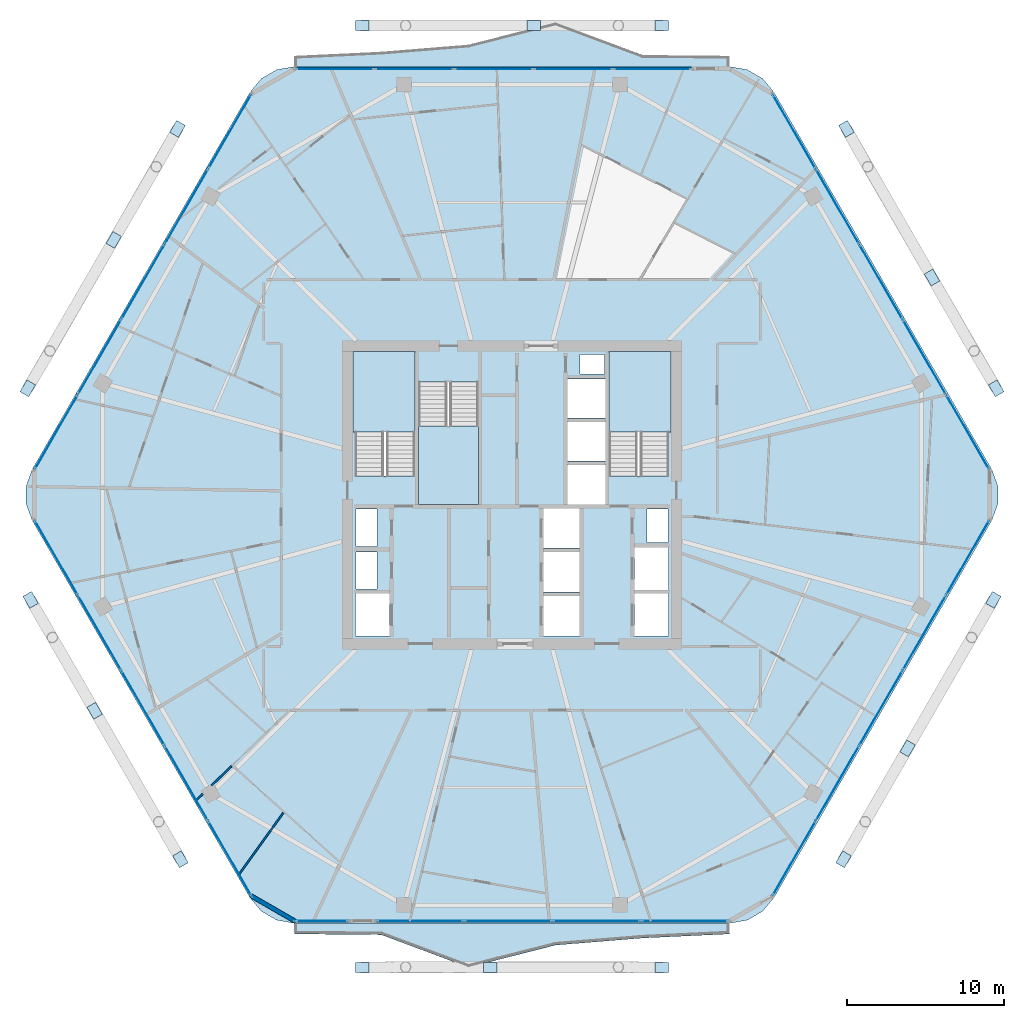
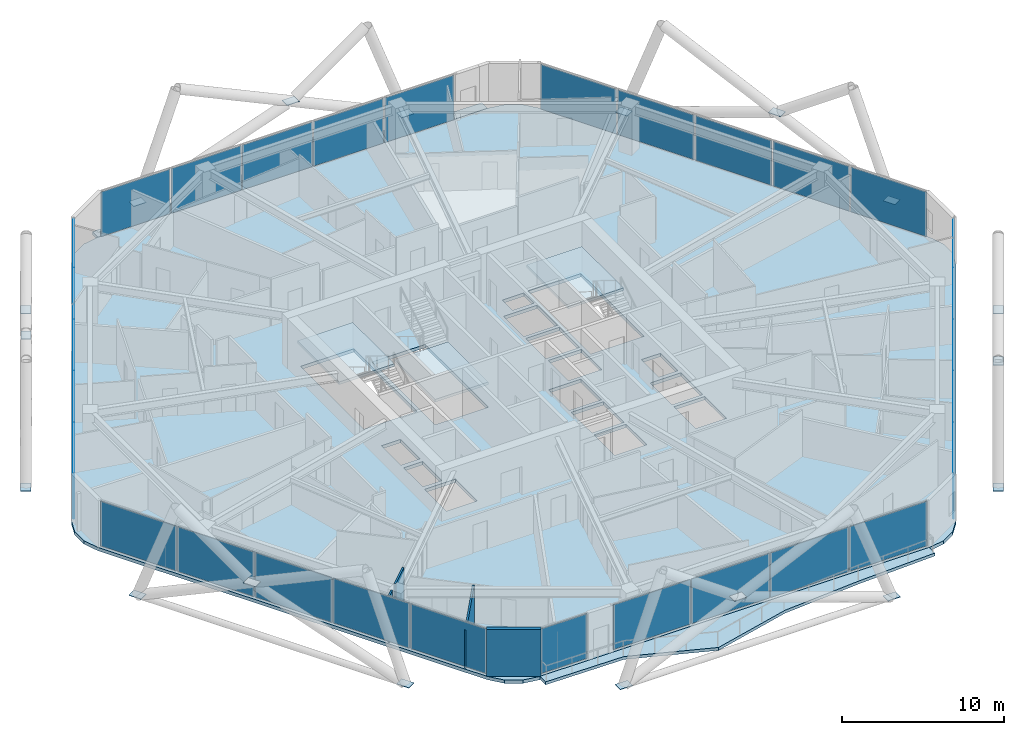
# One storey, part 20 of 28: 48 plates, 6 slabs, 4 walls, 10 elements without a shape of their own.
"""IFC4 building model written with IfcOpenShell, lengths in metres."""

from ifc_helpers import new_model, si_unit, direction, frame, frame_2d, origin, origin_2d, place, context, subcontext, project, spatial, polyline, rectangle, outline, extrude, material, layer, layer_set, type_object, element, aggregate, save


model = new_model("IFC4")

# Units and contexts
model_context = context("Model", 3, precision=1e-05, world=origin(), true_north=direction((0.0, 1.0)))
body_context = subcontext(model_context, "Body", "Model", "MODEL_VIEW")
ifc_project = project(units=[si_unit("LENGTHUNIT", "METRE"), si_unit("AREAUNIT", "SQUARE_METRE"), si_unit("VOLUMEUNIT", "CUBIC_METRE"), si_unit("PLANEANGLEUNIT", "RADIAN"), si_unit("MASSUNIT", "GRAM", prefix="KILO")], contexts=[model_context])

# Site, building, storey
site_placement = place(None, origin())
site = spatial("IfcSite", under=ifc_project, at=site_placement, CompositionType="ELEMENT")
building_placement = place(site_placement, origin())
building = spatial("IfcBuilding", under=site, at=building_placement, Name="Zuhravey Tower", CompositionType="ELEMENT")
storey_placement = place(building_placement, frame((0.0, 0.0, 207.39990234375)))
storey = spatial("IfcBuildingStorey", under=building, at=storey_placement, Name="L52", CompositionType="ELEMENT", Elevation=207.39990234375)

# Plates
ifc_material_1 = material(Name="Steel SM460", Category="steel")
ifc_layer_1 = layer(ifc_material_1, 0.035888671875)
ifc_layer_set_1 = layer_set([ifc_layer_1], Name="Steel SM460")
plate_type_1 = type_object("IfcPlateType", Name="Exoskeleton Zone 2 Node Plate ND2", PredefinedType="SHEET", material=ifc_layer_set_1)
for number, where, z_axis, x_axis, name in (
    (1, (66.890869140625, 38.8017578125, -0.48193359375), (0.0, 0.0, 1.0), (-0.5, 0.866025403784, 0.0), "L52 Exoskeleton Node Gusset L52-01"),
    (2, (57.3359375, 55.351318359375, -0.48193359375), (0.0, 0.0, 1.0), (-0.5, 0.866025403784, 0.0), "L52 Exoskeleton Node Gusset L52-02"),
    (3, (45.554931640625, 61.943115234375, -0.48193359375), (0.0, 0.0, 1.0), (-1.0, 0.0, 0.0), "L52 Exoskeleton Node Gusset L52-03"),
    (4, (26.445068359375, 61.943115234375, -0.48193359375), (0.0, 0.0, 1.0), (-1.0, 0.0, 0.0), "L52 Exoskeleton Node Gusset L52-04"),
    (5, (14.6640625, 55.351318359375, -0.48193359375), (0.0, 0.0, 1.0), (-0.5, -0.866025403784, 0.0), "L52 Exoskeleton Node Gusset L52-05"),
    (6, (5.109130859375, 38.8017578125, -0.48193359375), (0.0, 0.0, 1.0), (-0.5, -0.866025403784, 0.0), "L52 Exoskeleton Node Gusset L52-06"),
    (7, (5.291015625, 25.30322265625, -0.48193359375), (0.0, 0.0, 1.0), (0.5, -0.866025403784, 0.0), "L52 Exoskeleton Node Gusset L52-07"),
    (8, (14.845947265625, 8.753662109375, -0.48193359375), (0.0, 0.0, 1.0), (0.5, -0.866025403784, 0.0), "L52 Exoskeleton Node Gusset L52-08"),
    (9, (26.445068359375, 1.846923828125, -0.48193359375), (0.0, 0.0, 1.0), (1.0, 0.0, 0.0), "L52 Exoskeleton Node Gusset L52-09"),
    (10, (45.554931640625, 1.846923828125, -0.48193359375), (0.0, 0.0, 1.0), (1.0, 0.0, 0.0), "L52 Exoskeleton Node Gusset L52-10"),
    (11, (57.154052734375, 8.753662109375, -0.48193359375), (0.0, 0.0, 1.0), (0.5, 0.866025403784, 0.0), "L52 Exoskeleton Node Gusset L52-11"),
    (12, (66.708984375, 25.30322265625, -0.48193359375), (0.0, 0.0, 1.0), (0.5, 0.866025403784, 0.0), "L52 Exoskeleton Node Gusset L52-12"),
    (13, (62.793701171875, 45.867919921875, 3.318359375), (0.0, 0.0, 1.0), (-0.5, 0.866025403784, 0.0), "L52 Face 1 Diagrid X-Crossing Plate"),
    (14, (37.386962890625, 61.943115234375, 3.318359375), (0.0, 0.0, 1.0), (-1.0, 0.0, 0.0), "L52 Face 2 Diagrid X-Crossing Plate"),
    (15, (10.593017578125, 48.270263671875, 3.318359375), (0.0, 0.0, 1.0), (-0.5, -0.866025403784, 0.0), "L52 Face 3 Diagrid X-Crossing Plate"),
    (16, (9.375, 18.2294921875, 3.318359375), (0.0, 0.0, 1.0), (0.5, -0.866025403784, 0.0), "L52 Face 4 Diagrid X-Crossing Plate"),
    (17, (34.613037109375, 1.86181640625, 3.318359375), (0.0, 0.0, 1.0), (1.0, 0.0, 0.0), "L52 Face 5 Diagrid X-Crossing Plate"),
    (18, (61.238037109375, 15.8271484375, 3.318359375), (0.0, 0.0, 1.0), (0.5, 0.866025403784, 0.0), "L52 Face 6 Diagrid X-Crossing Plate"),
):
    element("IfcPlate", number, at=place(storey_placement, frame(where, z_axis=z_axis, x_axis=x_axis)), inside=storey, type_object=plate_type_1, Name=name, PredefinedType="SHEET", context=body_context, shape_type="SweptSolid", body=[
        extrude(rectangle(XDim=0.8798828125, YDim=0.639892578125, at=origin_2d()), origin(), (0.0, 0.0, 1.0), 0.035888671875),
    ])

# Slabs
ifc_material_2 = material(Name="Concrete C50/60", Category="concrete")
ifc_layer_2 = layer(ifc_material_2, 0.25)
ifc_layer_set_2 = layer_set([ifc_layer_2], Name="Concrete C50/60")
slab_type_1 = type_object("IfcSlabType", Name="Residential Acoustic Slab 250", PredefinedType="FLOOR", material=ifc_layer_set_2)
slab_1_placement = place(storey_placement, frame((0.0, 0.0, -0.25)))
element("IfcSlab", 19, at=slab_1_placement, inside=storey, type_object=slab_type_1, Name="L52 Floor Slab FS25", PredefinedType="FLOOR", context=body_context, shape_type="SweptSolid", body=[
    extrude(outline(polyline([(66.61181640625, 30.375), (66.997802734375, 31.435546875), (66.997802734375, 32.564453125), (66.61181640625, 33.625), (52.713134765625, 57.697998046875), (51.98779296875, 58.562744140625), (51.01025390625, 59.127197265625), (49.898681640625, 59.322998046875), (22.101318359375, 59.322998046875), (20.98974609375, 59.127197265625), (20.01220703125, 58.562744140625), (19.286865234375, 57.697998046875), (5.38818359375, 33.625), (5.002197265625, 32.564453125), (5.002197265625, 31.435546875), (5.38818359375, 30.375), (19.286865234375, 6.302001953125), (20.01220703125, 5.437255859375), (20.98974609375, 4.872802734375), (22.101318359375, 4.677001953125), (49.898681640625, 4.677001953125), (51.01025390625, 4.872802734375), (51.98779296875, 5.437255859375), (52.713134765625, 6.302001953125), (66.61181640625, 30.375)]), holes=[polyline([(29.800048828125, 33.20068359375), (29.800048828125, 41.0), (26.0, 41.0), (26.0, 33.20068359375), (29.800048828125, 33.20068359375)]), polyline([(46.0, 33.20068359375), (46.0, 41.0), (42.199951171875, 41.0), (42.199951171875, 33.20068359375), (46.0, 33.20068359375)]), polyline([(30.050048828125, 39.199462890625), (30.050048828125, 31.39990234375), (33.85009765625, 31.39990234375), (33.85009765625, 39.199462890625), (30.050048828125, 39.199462890625)]), polyline([(38.0, 23.0), (40.300048828125, 23.0), (40.300048828125, 25.550048828125), (38.0, 25.550048828125), (38.0, 23.0)]), polyline([(38.0, 25.800048828125), (40.300048828125, 25.800048828125), (40.300048828125, 28.35009765625), (38.0, 28.35009765625), (38.0, 25.800048828125)]), polyline([(38.0, 28.60009765625), (40.300048828125, 28.60009765625), (40.300048828125, 31.14990234375), (38.0, 31.14990234375), (38.0, 28.60009765625)]), polyline([(39.550048828125, 31.39990234375), (41.949951171875, 31.39990234375), (41.949951171875, 33.89990234375), (39.550048828125, 33.89990234375), (39.550048828125, 31.39990234375)]), polyline([(39.550048828125, 34.14990234375), (41.949951171875, 34.14990234375), (41.949951171875, 36.64990234375), (39.550048828125, 36.64990234375), (39.550048828125, 34.14990234375)]), polyline([(39.550048828125, 36.89990234375), (41.949951171875, 36.89990234375), (41.949951171875, 39.39990234375), (39.550048828125, 39.39990234375), (39.550048828125, 36.89990234375)]), polyline([(26.0, 23.0), (28.199951171875, 23.0), (28.199951171875, 25.699951171875), (26.0, 25.699951171875), (26.0, 23.0)]), polyline([(43.800048828125, 23.0), (46.0, 23.0), (46.0, 25.699951171875), (43.800048828125, 25.699951171875), (43.800048828125, 23.0)]), polyline([(43.800048828125, 25.949951171875), (46.0, 25.949951171875), (46.0, 28.64990234375), (43.800048828125, 28.64990234375), (43.800048828125, 25.949951171875)]), polyline([(26.050048828125, 26.0), (27.39990234375, 26.0), (27.39990234375, 28.35009765625), (26.050048828125, 28.35009765625), (26.050048828125, 26.0)]), polyline([(26.050048828125, 28.699951171875), (27.39990234375, 28.699951171875), (27.39990234375, 31.10009765625), (26.050048828125, 31.10009765625), (26.050048828125, 28.699951171875)]), polyline([(44.60009765625, 28.949951171875), (45.949951171875, 28.949951171875), (45.949951171875, 31.10009765625), (44.60009765625, 31.10009765625), (44.60009765625, 28.949951171875)]), polyline([(40.35009765625, 39.699951171875), (41.89990234375, 39.699951171875), (41.89990234375, 40.949951171875), (40.35009765625, 40.949951171875), (40.35009765625, 39.699951171875)])]), origin(), (0.0, 0.0, 1.0), 0.25),
])
ifc_material_3 = material(Name="Concrete C40/50", Category="concrete")
ifc_layer_3 = layer(ifc_material_3, 0.219970703125)
ifc_layer_set_3 = layer_set([ifc_layer_3], Name="Concrete C40/50")
slab_type_2 = type_object("IfcSlabType", Name="Sinusoidal Residential Wave Balcony 220", PredefinedType="FLOOR", material=ifc_layer_set_3)
slab_2_placement = place(storey_placement, frame((0.0, 0.0, -0.219970703125)))
element("IfcSlab", 20, at=slab_2_placement, inside=storey, type_object=slab_type_2, Name="L52 Face 5 Wave Balcony WB22", PredefinedType="FLOOR", context=body_context, shape_type="SweptSolid", body=[
    extrude(outline(polyline([(22.110107421875, 4.69189453125), (49.889892578125, 4.69189453125), (49.889892578125, 3.991943359375), (44.333984375, 3.729736328125), (38.778076171875, 3.27783203125), (33.221923828125, 1.86279296875), (27.666015625, 3.9384765625), (22.110107421875, 3.991943359375), (22.110107421875, 4.69189453125)])), origin(), (0.0, 0.0, 1.0), 0.219970703125),
])
slab_3_placement = place(storey_placement, frame((0.0, 0.0, -0.219970703125)))
element("IfcSlab", 21, at=slab_3_placement, inside=storey, type_object=slab_type_2, Name="L52 Face 2 Wave Balcony WB22", PredefinedType="FLOOR", context=body_context, shape_type="SweptSolid", body=[
    extrude(outline(polyline([(49.889892578125, 59.30810546875), (22.110107421875, 59.30810546875), (22.110107421875, 60.008056640625), (27.666015625, 60.270263671875), (33.221923828125, 60.72216796875), (38.778076171875, 62.13720703125), (44.333984375, 60.0615234375), (49.889892578125, 60.008056640625), (49.889892578125, 59.30810546875)])), origin(), (0.0, 0.0, 1.0), 0.219970703125),
])

# Stair, slab
stair_type = type_object("IfcStairType", Name="Housing Storey Stair Assembly 3800", PredefinedType="HALF_TURN_STAIR", material=ifc_material_3)
stair_1_placement = place(storey_placement, origin())
stair_1 = element("IfcStair", 22, at=stair_1_placement, inside=storey, type_object=stair_type, Name="L52 Core Exit Stair ST1", PredefinedType="HALF_TURN_STAIR")
ifc_layer_4 = layer(ifc_material_3, 0.199951171875)
ifc_layer_set_4 = layer_set([ifc_layer_4], Name="Concrete C40/50")
slab_type_3 = type_object("IfcSlabType", Name="Stair Landing Slab 200", PredefinedType="LANDING", material=ifc_layer_set_4)
slab_4_placement = place(storey_placement, frame((0.0, 0.0, 1.7001953125)))
slab_4 = element("IfcSlab", 23, at=slab_4_placement, type_object=slab_type_3, Name="ST1 landing 1", PredefinedType="LANDING", context=body_context, shape_type="SweptSolid", body=[
    extrude(outline(polyline([(29.800048828125, 36.0), (29.800048828125, 41.14794921875), (25.85205078125, 41.14794921875), (25.85205078125, 36.0), (29.800048828125, 36.0)])), origin(), (0.0, 0.0, 1.0), 0.199951171875),
])
aggregate(stair_1, [slab_4])

stair_2_placement = place(storey_placement, origin())
stair_2 = element("IfcStair", 24, at=stair_2_placement, inside=storey, type_object=stair_type, Name="L52 Core Exit Stair ST2", PredefinedType="HALF_TURN_STAIR")
slab_5_placement = place(storey_placement, frame((0.0, 0.0, 1.7001953125)))
slab_5 = element("IfcSlab", 25, at=slab_5_placement, type_object=slab_type_3, Name="ST2 landing 1", PredefinedType="LANDING", context=body_context, shape_type="SweptSolid", body=[
    extrude(outline(polyline([(46.14794921875, 36.0), (46.14794921875, 41.14794921875), (42.199951171875, 41.14794921875), (42.199951171875, 36.0), (46.14794921875, 36.0)])), origin(), (0.0, 0.0, 1.0), 0.199951171875),
])
aggregate(stair_2, [slab_5])

stair_3_placement = place(storey_placement, origin())
stair_3 = element("IfcStair", 26, at=stair_3_placement, inside=storey, type_object=stair_type, Name="L52 Core Exit Stair ST3", PredefinedType="HALF_TURN_STAIR")
slab_6_placement = place(storey_placement, frame((0.0, 0.0, 1.7001953125)))
slab_6 = element("IfcSlab", 27, at=slab_6_placement, type_object=slab_type_3, Name="ST3 landing 1", PredefinedType="LANDING", context=body_context, shape_type="SweptSolid", body=[
    extrude(outline(polyline([(30.050048828125, 36.39990234375), (30.050048828125, 31.39990234375), (33.85009765625, 31.39990234375), (33.85009765625, 36.39990234375), (30.050048828125, 36.39990234375)])), origin(), (0.0, 0.0, 1.0), 0.199951171875),
])
aggregate(stair_3, [slab_6])

# Curtain wall, plates
ifc_material_4 = material(Name="Thermally broken anodised aluminium", Category="aluminium")
curtain_wall_type = type_object("IfcCurtainWallType", Name="Zone 1-2 Residential Curtain Wall CW3", PredefinedType="NOTDEFINED", material=ifc_material_4)
curtain_wall_1_placement = place(storey_placement, origin())
curtain_wall_1 = element("IfcCurtainWall", 28, at=curtain_wall_1_placement, inside=storey, type_object=curtain_wall_type, Name="L52 CW3 CW-L52-F6-1", PredefinedType="NOTDEFINED")
ifc_material_5 = material(Name="Triple low-E insulated vision glass", Category="glass")
ifc_layer_5 = layer(ifc_material_5, 0.0419921875)
ifc_layer_set_5 = layer_set([ifc_layer_5], Name="Triple low-E insulated vision glass")
plate_type_2 = type_object("IfcPlateType", Name="Triple Low-E Vision Panel", PredefinedType="CURTAIN_PANEL", material=ifc_layer_set_5)
plate_1_placement = place(storey_placement, frame((65.074462890625, 27.9921875, 0.090087890625), z_axis=(0.0, 0.0, 1.0), x_axis=(-0.500000459979, -0.866025138215, 0.0)))
plate_1 = element("IfcPlate", 29, at=plate_1_placement, type_object=plate_type_2, Name="CW3 panel 1.1", PredefinedType="CURTAIN_PANEL", context=body_context, shape_type="SweptSolid", body=[
    extrude(rectangle(XDim=5.409423828125, YDim=0.0419921875, at=origin_2d()), origin(), (0.0, 0.0, 1.0), 3.3701171875),
])
plate_2_placement = place(storey_placement, frame((62.3134765625, 23.2099609375, 0.090087890625), z_axis=(0.0, 0.0, 1.0), x_axis=(-0.500000459979, -0.866025138215, 0.0)))
plate_2 = element("IfcPlate", 30, at=plate_2_placement, type_object=plate_type_2, Name="CW3 panel 2.1", PredefinedType="CURTAIN_PANEL", context=body_context, shape_type="SweptSolid", body=[
    extrude(rectangle(XDim=5.454345703125, YDim=0.0419921875, at=origin_2d()), origin(), (0.0, 0.0, 1.0), 3.3701171875),
])
plate_3_placement = place(storey_placement, frame((59.541259765625, 18.408447265625, 0.090087890625), z_axis=(0.0, 0.0, 1.0), x_axis=(-0.500000459979, -0.866025138215, 0.0)))
plate_3 = element("IfcPlate", 31, at=plate_3_placement, type_object=plate_type_2, Name="CW3 panel 3.1", PredefinedType="CURTAIN_PANEL", context=body_context, shape_type="SweptSolid", body=[
    extrude(rectangle(XDim=5.454345703125, YDim=0.0419921875, at=origin_2d()), origin(), (0.0, 0.0, 1.0), 3.3701171875),
])
plate_4_placement = place(storey_placement, frame((56.76904296875, 13.60693359375, 0.090087890625), z_axis=(0.0, 0.0, 1.0), x_axis=(-0.500000459979, -0.866025138215, 0.0)))
plate_4 = element("IfcPlate", 32, at=plate_4_placement, type_object=plate_type_2, Name="CW3 panel 4.1", PredefinedType="CURTAIN_PANEL", context=body_context, shape_type="SweptSolid", body=[
    extrude(rectangle(XDim=5.454345703125, YDim=0.0419921875, at=origin_2d()), origin(), (0.0, 0.0, 1.0), 3.3701171875),
])
plate_5_placement = place(storey_placement, frame((54.008056640625, 8.82470703125, 0.090087890625), z_axis=(0.0, 0.0, 1.0), x_axis=(-0.500000459979, -0.866025138215, 0.0)))
plate_5 = element("IfcPlate", 33, at=plate_5_placement, type_object=plate_type_2, Name="CW3 panel 5.1", PredefinedType="CURTAIN_PANEL", context=body_context, shape_type="SweptSolid", body=[
    extrude(rectangle(XDim=5.409423828125, YDim=0.0419921875, at=origin_2d()), origin(), (0.0, 0.0, 1.0), 3.3701171875),
])
aggregate(curtain_wall_1, [plate_1, plate_2, plate_3, plate_4, plate_5])

curtain_wall_2_placement = place(storey_placement, origin())
curtain_wall_2 = element("IfcCurtainWall", 34, at=curtain_wall_2_placement, inside=storey, type_object=curtain_wall_type, Name="L52 CW3 CW-L52-F5-1", PredefinedType="NOTDEFINED")
plate_6_placement = place(storey_placement, frame((47.01953125, 4.81689453125, 0.090087890625), z_axis=(0.0, 0.0, 1.0), x_axis=(-1.0, 0.0, 0.0)))
plate_6 = element("IfcPlate", 35, at=plate_6_placement, type_object=plate_type_2, Name="CW3 panel 1.1", PredefinedType="CURTAIN_PANEL", context=body_context, shape_type="SweptSolid", body=[
    extrude(rectangle(XDim=5.5029296875, YDim=0.0419921875, at=origin_2d()), origin(), (0.0, 0.0, 1.0), 3.3701171875),
])
plate_7_placement = place(storey_placement, frame((41.404296875, 4.81689453125, 0.090087890625), z_axis=(0.0, 0.0, 1.0), x_axis=(-1.0, 0.0, 0.0)))
plate_7 = element("IfcPlate", 36, at=plate_7_placement, type_object=plate_type_2, Name="CW3 panel 2.1", PredefinedType="CURTAIN_PANEL", context=body_context, shape_type="SweptSolid", body=[
    extrude(rectangle(XDim=5.5478515625, YDim=0.0419921875, at=origin_2d()), origin(), (0.0, 0.0, 1.0), 3.3701171875),
])
plate_8_placement = place(storey_placement, frame((35.76611328125, 4.81689453125, 0.090087890625), z_axis=(0.0, 0.0, 1.0), x_axis=(-1.0, 0.0, 0.0)))
plate_8 = element("IfcPlate", 37, at=plate_8_placement, type_object=plate_type_2, Name="CW3 panel 3.1", PredefinedType="CURTAIN_PANEL", context=body_context, shape_type="SweptSolid", body=[
    extrude(rectangle(XDim=5.5478515625, YDim=0.0419921875, at=origin_2d()), origin(), (0.0, 0.0, 1.0), 3.3701171875),
])
plate_9_placement = place(storey_placement, frame((30.15087890625, 4.81689453125, 0.090087890625), z_axis=(0.0, 0.0, 1.0), x_axis=(-1.0, 0.0, 0.0)))
plate_9 = element("IfcPlate", 38, at=plate_9_placement, type_object=plate_type_2, Name="CW3 panel 4.1", PredefinedType="CURTAIN_PANEL", context=body_context, shape_type="SweptSolid", body=[
    extrude(rectangle(XDim=5.5029296875, YDim=0.0419921875, at=origin_2d()), origin(), (0.0, 0.0, 1.0), 3.3701171875),
])
aggregate(curtain_wall_2, [plate_6, plate_7, plate_8, plate_9])

# Curtain wall, plate
curtain_wall_3_placement = place(storey_placement, origin())
curtain_wall_3 = element("IfcCurtainWall", 39, at=curtain_wall_3_placement, inside=storey, type_object=curtain_wall_type, Name="L52 CW3 CW-L52-F5-2", PredefinedType="NOTDEFINED")
plate_10_placement = place(storey_placement, frame((23.8740234375, 4.81689453125, 0.090087890625), z_axis=(0.0, 0.0, 1.0), x_axis=(-1.0, 0.0, 0.0)))
plate_10 = element("IfcPlate", 40, at=plate_10_placement, type_object=plate_type_2, Name="CW3 panel 1.1", PredefinedType="CURTAIN_PANEL", context=body_context, shape_type="SweptSolid", body=[
    extrude(rectangle(XDim=3.290283203125, YDim=0.0419921875, at=origin_2d()), origin(), (0.0, 0.0, 1.0), 3.3701171875),
])
aggregate(curtain_wall_3, [plate_10])

# Curtain wall, plates
curtain_wall_4_placement = place(storey_placement, origin())
curtain_wall_4 = element("IfcCurtainWall", 41, at=curtain_wall_4_placement, inside=storey, type_object=curtain_wall_type, Name="L52 CW3 CW-L52-F4-1", PredefinedType="NOTDEFINED")
plate_11_placement = place(storey_placement, frame((17.991943359375, 8.82470703125, 0.090087890625), z_axis=(0.0, 0.0, 1.0), x_axis=(-0.500000459979, 0.866025138215, 0.0)))
plate_11 = element("IfcPlate", 42, at=plate_11_placement, type_object=plate_type_2, Name="CW3 panel 1.1", PredefinedType="CURTAIN_PANEL", context=body_context, shape_type="SweptSolid", body=[
    extrude(rectangle(XDim=5.409423828125, YDim=0.0419921875, at=origin_2d()), origin(), (0.0, 0.0, 1.0), 3.3701171875),
])
plate_12_placement = place(storey_placement, frame((15.23095703125, 13.60693359375, 0.090087890625), z_axis=(0.0, 0.0, 1.0), x_axis=(-0.500000459979, 0.866025138215, 0.0)))
plate_12 = element("IfcPlate", 43, at=plate_12_placement, type_object=plate_type_2, Name="CW3 panel 2.1", PredefinedType="CURTAIN_PANEL", context=body_context, shape_type="SweptSolid", body=[
    extrude(rectangle(XDim=5.454345703125, YDim=0.0419921875, at=origin_2d()), origin(), (0.0, 0.0, 1.0), 3.3701171875),
])
plate_13_placement = place(storey_placement, frame((12.458740234375, 18.408447265625, 0.090087890625), z_axis=(0.0, 0.0, 1.0), x_axis=(-0.500000459979, 0.866025138215, 0.0)))
plate_13 = element("IfcPlate", 44, at=plate_13_placement, type_object=plate_type_2, Name="CW3 panel 3.1", PredefinedType="CURTAIN_PANEL", context=body_context, shape_type="SweptSolid", body=[
    extrude(rectangle(XDim=5.454345703125, YDim=0.0419921875, at=origin_2d()), origin(), (0.0, 0.0, 1.0), 3.3701171875),
])
plate_14_placement = place(storey_placement, frame((9.6865234375, 23.2099609375, 0.090087890625), z_axis=(0.0, 0.0, 1.0), x_axis=(-0.500000459979, 0.866025138215, 0.0)))
plate_14 = element("IfcPlate", 45, at=plate_14_placement, type_object=plate_type_2, Name="CW3 panel 4.1", PredefinedType="CURTAIN_PANEL", context=body_context, shape_type="SweptSolid", body=[
    extrude(rectangle(XDim=5.454345703125, YDim=0.0419921875, at=origin_2d()), origin(), (0.0, 0.0, 1.0), 3.3701171875),
])
plate_15_placement = place(storey_placement, frame((6.925537109375, 27.9921875, 0.090087890625), z_axis=(0.0, 0.0, 1.0), x_axis=(-0.500000459979, 0.866025138215, 0.0)))
plate_15 = element("IfcPlate", 46, at=plate_15_placement, type_object=plate_type_2, Name="CW3 panel 5.1", PredefinedType="CURTAIN_PANEL", context=body_context, shape_type="SweptSolid", body=[
    extrude(rectangle(XDim=5.409423828125, YDim=0.0419921875, at=origin_2d()), origin(), (0.0, 0.0, 1.0), 3.3701171875),
])
aggregate(curtain_wall_4, [plate_11, plate_12, plate_13, plate_14, plate_15])

curtain_wall_5_placement = place(storey_placement, origin())
curtain_wall_5 = element("IfcCurtainWall", 47, at=curtain_wall_5_placement, inside=storey, type_object=curtain_wall_type, Name="L52 CW3 CW-L52-F3-1", PredefinedType="NOTDEFINED")
plate_16_placement = place(storey_placement, frame((6.925537109375, 36.0078125, 0.090087890625), z_axis=(0.0, 0.0, 1.0), x_axis=(0.500000459979, 0.866025138215, 0.0)))
plate_16 = element("IfcPlate", 48, at=plate_16_placement, type_object=plate_type_2, Name="CW3 panel 1.1", PredefinedType="CURTAIN_PANEL", context=body_context, shape_type="SweptSolid", body=[
    extrude(rectangle(XDim=5.409423828125, YDim=0.0419921875, at=origin_2d()), origin(), (0.0, 0.0, 1.0), 3.3701171875),
])
plate_17_placement = place(storey_placement, frame((9.6865234375, 40.7900390625, 0.090087890625), z_axis=(0.0, 0.0, 1.0), x_axis=(0.500000459979, 0.866025138215, 0.0)))
plate_17 = element("IfcPlate", 49, at=plate_17_placement, type_object=plate_type_2, Name="CW3 panel 2.1", PredefinedType="CURTAIN_PANEL", context=body_context, shape_type="SweptSolid", body=[
    extrude(rectangle(XDim=5.454345703125, YDim=0.0419921875, at=origin_2d()), origin(), (0.0, 0.0, 1.0), 3.3701171875),
])
plate_18_placement = place(storey_placement, frame((12.458740234375, 45.591552734375, 0.090087890625), z_axis=(0.0, 0.0, 1.0), x_axis=(0.500000459979, 0.866025138215, 0.0)))
plate_18 = element("IfcPlate", 50, at=plate_18_placement, type_object=plate_type_2, Name="CW3 panel 3.1", PredefinedType="CURTAIN_PANEL", context=body_context, shape_type="SweptSolid", body=[
    extrude(rectangle(XDim=5.454345703125, YDim=0.0419921875, at=origin_2d()), origin(), (0.0, 0.0, 1.0), 3.3701171875),
])
plate_19_placement = place(storey_placement, frame((15.23095703125, 50.39306640625, 0.090087890625), z_axis=(0.0, 0.0, 1.0), x_axis=(0.500000459979, 0.866025138215, 0.0)))
plate_19 = element("IfcPlate", 51, at=plate_19_placement, type_object=plate_type_2, Name="CW3 panel 4.1", PredefinedType="CURTAIN_PANEL", context=body_context, shape_type="SweptSolid", body=[
    extrude(rectangle(XDim=5.454345703125, YDim=0.0419921875, at=origin_2d()), origin(), (0.0, 0.0, 1.0), 3.3701171875),
])
plate_20_placement = place(storey_placement, frame((17.991943359375, 55.17529296875, 0.090087890625), z_axis=(0.0, 0.0, 1.0), x_axis=(0.500000459979, 0.866025138215, 0.0)))
plate_20 = element("IfcPlate", 52, at=plate_20_placement, type_object=plate_type_2, Name="CW3 panel 5.1", PredefinedType="CURTAIN_PANEL", context=body_context, shape_type="SweptSolid", body=[
    extrude(rectangle(XDim=5.409423828125, YDim=0.0419921875, at=origin_2d()), origin(), (0.0, 0.0, 1.0), 3.3701171875),
])
aggregate(curtain_wall_5, [plate_16, plate_17, plate_18, plate_19, plate_20])

curtain_wall_6_placement = place(storey_placement, origin())
curtain_wall_6 = element("IfcCurtainWall", 53, at=curtain_wall_6_placement, inside=storey, type_object=curtain_wall_type, Name="L52 CW3 CW-L52-F2-1", PredefinedType="NOTDEFINED")
plate_21_placement = place(storey_placement, frame((24.69873046875, 59.18310546875, 0.090087890625), z_axis=(0.0, 0.0, 1.0), x_axis=(1.0, 0.0, 0.0)))
plate_21 = element("IfcPlate", 54, at=plate_21_placement, type_object=plate_type_2, Name="CW3 panel 1.1", PredefinedType="CURTAIN_PANEL", context=body_context, shape_type="SweptSolid", body=[
    extrude(rectangle(XDim=4.939453125, YDim=0.0419921875, at=origin_2d()), origin(), (0.0, 0.0, 1.0), 3.3701171875),
])
plate_22_placement = place(storey_placement, frame((29.75048828125, 59.18310546875, 0.090087890625), z_axis=(0.0, 0.0, 1.0), x_axis=(1.0, 0.0, 0.0)))
plate_22 = element("IfcPlate", 55, at=plate_22_placement, type_object=plate_type_2, Name="CW3 panel 2.1", PredefinedType="CURTAIN_PANEL", context=body_context, shape_type="SweptSolid", body=[
    extrude(rectangle(XDim=4.984375, YDim=0.0419921875, at=origin_2d()), origin(), (0.0, 0.0, 1.0), 3.3701171875),
])
plate_23_placement = place(storey_placement, frame((34.824951171875, 59.18310546875, 0.090087890625), z_axis=(0.0, 0.0, 1.0), x_axis=(1.0, 0.0, 0.0)))
plate_23 = element("IfcPlate", 56, at=plate_23_placement, type_object=plate_type_2, Name="CW3 panel 3.1", PredefinedType="CURTAIN_PANEL", context=body_context, shape_type="SweptSolid", body=[
    extrude(rectangle(XDim=4.984375, YDim=0.0419921875, at=origin_2d()), origin(), (0.0, 0.0, 1.0), 3.3701171875),
])
plate_24_placement = place(storey_placement, frame((39.8994140625, 59.18310546875, 0.090087890625), z_axis=(0.0, 0.0, 1.0), x_axis=(1.0, 0.0, 0.0)))
plate_24 = element("IfcPlate", 57, at=plate_24_placement, type_object=plate_type_2, Name="CW3 panel 4.1", PredefinedType="CURTAIN_PANEL", context=body_context, shape_type="SweptSolid", body=[
    extrude(rectangle(XDim=4.984375, YDim=0.0419921875, at=origin_2d()), origin(), (0.0, 0.0, 1.0), 3.3701171875),
])
plate_25_placement = place(storey_placement, frame((44.951416015625, 59.18310546875, 0.090087890625), z_axis=(0.0, 0.0, 1.0), x_axis=(1.0, 0.0, 0.0)))
plate_25 = element("IfcPlate", 58, at=plate_25_placement, type_object=plate_type_2, Name="CW3 panel 5.1", PredefinedType="CURTAIN_PANEL", context=body_context, shape_type="SweptSolid", body=[
    extrude(rectangle(XDim=4.939453125, YDim=0.0419921875, at=origin_2d()), origin(), (0.0, 0.0, 1.0), 3.3701171875),
])
aggregate(curtain_wall_6, [plate_21, plate_22, plate_23, plate_24, plate_25])

curtain_wall_7_placement = place(storey_placement, origin())
curtain_wall_7 = element("IfcCurtainWall", 59, at=curtain_wall_7_placement, inside=storey, type_object=curtain_wall_type, Name="L52 CW3 CW-L52-F1-1", PredefinedType="NOTDEFINED")
plate_26_placement = place(storey_placement, frame((54.008056640625, 55.17529296875, 0.090087890625), z_axis=(0.0, 0.0, 1.0), x_axis=(0.500000459979, -0.866025138215, 0.0)))
plate_26 = element("IfcPlate", 60, at=plate_26_placement, type_object=plate_type_2, Name="CW3 panel 1.1", PredefinedType="CURTAIN_PANEL", context=body_context, shape_type="SweptSolid", body=[
    extrude(rectangle(XDim=5.409423828125, YDim=0.0419921875, at=origin_2d()), origin(), (0.0, 0.0, 1.0), 3.3701171875),
])
plate_27_placement = place(storey_placement, frame((56.76904296875, 50.39306640625, 0.090087890625), z_axis=(0.0, 0.0, 1.0), x_axis=(0.500000459979, -0.866025138215, 0.0)))
plate_27 = element("IfcPlate", 61, at=plate_27_placement, type_object=plate_type_2, Name="CW3 panel 2.1", PredefinedType="CURTAIN_PANEL", context=body_context, shape_type="SweptSolid", body=[
    extrude(rectangle(XDim=5.454345703125, YDim=0.0419921875, at=origin_2d()), origin(), (0.0, 0.0, 1.0), 3.3701171875),
])
plate_28_placement = place(storey_placement, frame((59.541259765625, 45.591552734375, 0.090087890625), z_axis=(0.0, 0.0, 1.0), x_axis=(0.500000459979, -0.866025138215, 0.0)))
plate_28 = element("IfcPlate", 62, at=plate_28_placement, type_object=plate_type_2, Name="CW3 panel 3.1", PredefinedType="CURTAIN_PANEL", context=body_context, shape_type="SweptSolid", body=[
    extrude(rectangle(XDim=5.454345703125, YDim=0.0419921875, at=origin_2d()), origin(), (0.0, 0.0, 1.0), 3.3701171875),
])
plate_29_placement = place(storey_placement, frame((62.3134765625, 40.7900390625, 0.090087890625), z_axis=(0.0, 0.0, 1.0), x_axis=(0.500000459979, -0.866025138215, 0.0)))
plate_29 = element("IfcPlate", 63, at=plate_29_placement, type_object=plate_type_2, Name="CW3 panel 4.1", PredefinedType="CURTAIN_PANEL", context=body_context, shape_type="SweptSolid", body=[
    extrude(rectangle(XDim=5.454345703125, YDim=0.0419921875, at=origin_2d()), origin(), (0.0, 0.0, 1.0), 3.3701171875),
])
plate_30_placement = place(storey_placement, frame((65.074462890625, 36.0078125, 0.090087890625), z_axis=(0.0, 0.0, 1.0), x_axis=(0.500000459979, -0.866025138215, 0.0)))
plate_30 = element("IfcPlate", 64, at=plate_30_placement, type_object=plate_type_2, Name="CW3 panel 5.1", PredefinedType="CURTAIN_PANEL", context=body_context, shape_type="SweptSolid", body=[
    extrude(rectangle(XDim=5.409423828125, YDim=0.0419921875, at=origin_2d()), origin(), (0.0, 0.0, 1.0), 3.3701171875),
])
aggregate(curtain_wall_7, [plate_26, plate_27, plate_28, plate_29, plate_30])

# Walls
ifc_material_6 = material(Name="Precast concrete C40/50", Category="concrete")
ifc_layer_6 = layer(ifc_material_6, 0.280029296875)
ifc_layer_set_6 = layer_set([ifc_layer_6], Name="Precast concrete C40/50")
wall_type_1 = type_object("IfcWallType", Name="Crown Architectural Wall 280", PredefinedType="SOLIDWALL", material=ifc_layer_set_6)
wall_1_placement = place(storey_placement, frame((22.22119140625, 4.769287109375, 0.0), z_axis=(0.0, 0.0, 1.0), x_axis=(-0.866020068361, 0.500009241111, 0.0)))
element("IfcWall", 65, at=wall_1_placement, inside=storey, type_object=wall_type_1, Name="L52 Rounded Corner Closure Wall EW28-04", PredefinedType="SOLIDWALL", context=body_context, shape_type="SweptSolid", body=[
    extrude(rectangle(XDim=3.365234375, YDim=0.280029296875, at=frame_2d((1.6826171875, 0.0))), origin(), (0.0, 0.0, 1.0), 3.550048828125),
])
ifc_material_7 = material(Name="Gypsum metal-stud partition")
ifc_layer_7 = layer(ifc_material_7, 0.1201171875)
ifc_layer_set_7 = layer_set([ifc_layer_7], Name="Gypsum metal-stud partition")
wall_type_2 = type_object("IfcWallType", Name="Unit Internal Partition 120", PredefinedType="PARTITIONING", material=ifc_layer_set_7)
wall_2_placement = place(storey_placement, frame((18.10986328125, 14.699462890625, 0.0), z_axis=(0.0, 0.0, 1.0), x_axis=(-0.718877639203, -0.695136633946, 0.0)))
element("IfcWall", 66, at=wall_2_placement, inside=storey, type_object=wall_type_2, Name="L52 IW12 Partition 050", PredefinedType="PARTITIONING", context=body_context, shape_type="SweptSolid", body=[
    extrude(rectangle(XDim=1.799560546875, YDim=0.1201171875, at=frame_2d((0.89990234375, 0.0))), origin(), (0.0, 0.0, 1.0), 3.550048828125),
])
wall_3_placement = place(storey_placement, frame((21.414306640625, 11.72412109375, 0.0), z_axis=(0.0, 0.0, 1.0), x_axis=(-0.583973485563, -0.81177273184, 0.0)))
element("IfcWall", 67, at=wall_3_placement, inside=storey, type_object=wall_type_2, Name="L52 IW12 Partition 100", PredefinedType="PARTITIONING", context=body_context, shape_type="SweptSolid", body=[
    extrude(rectangle(XDim=4.874267578125, YDim=0.1201171875, at=frame_2d((2.43701171875, 0.0))), origin(), (0.0, 0.0, 1.0), 2.8701171875),
])
wall_4_placement = place(storey_placement, frame((16.279541015625, 12.929443359375, 0.0), z_axis=(0.0, 0.0, 1.0), x_axis=(-0.718981497127, -0.695029212903, 0.0)))
element("IfcWall", 68, at=wall_4_placement, inside=storey, type_object=wall_type_2, Name="L52 IW12 Partition 102", PredefinedType="PARTITIONING", context=body_context, shape_type="SweptSolid", body=[
    extrude(rectangle(XDim=0.591064453125, YDim=0.1201171875, at=frame_2d((0.29541015625, 0.0))), origin(), (0.0, 0.0, 1.0), 3.550048828125),
])

save(model, "model.ifc")
